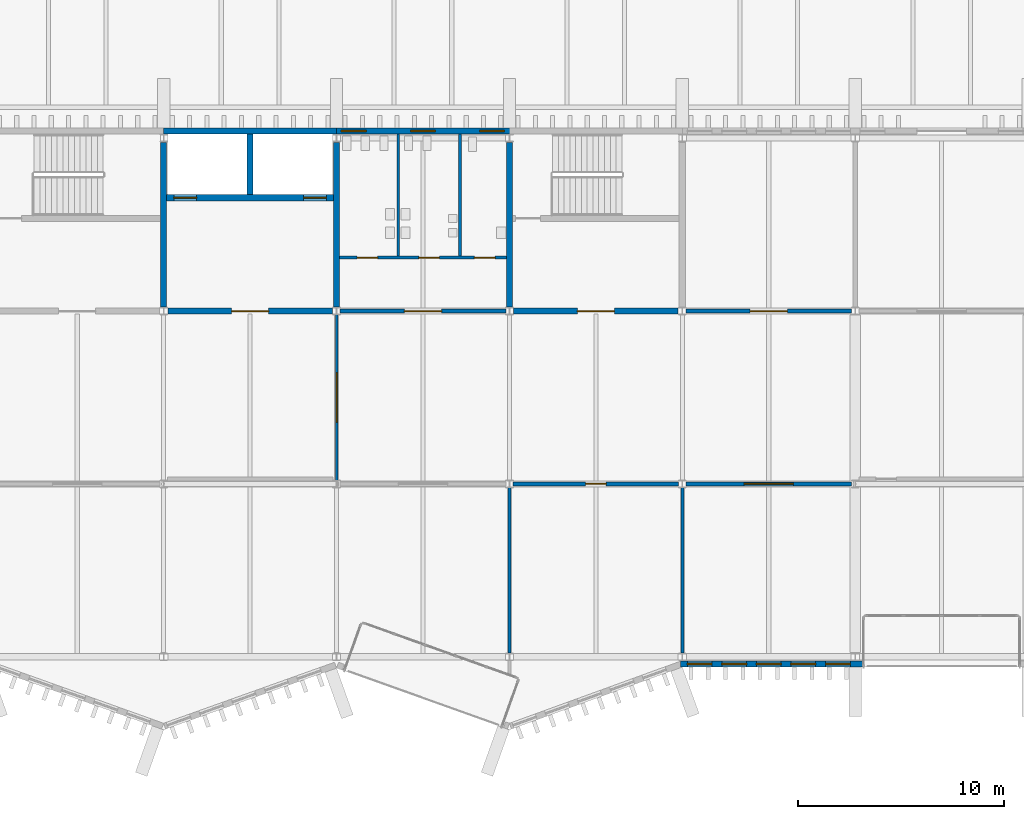
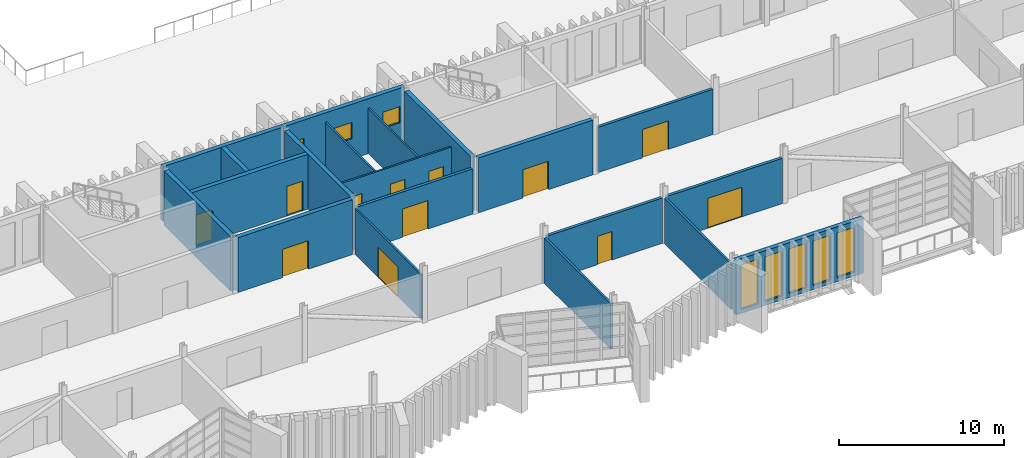
# One storey, part 58 of 96: 20 walls, 12 doors, 8 windows, 20 openings.
"""IFC4 building model written with IfcOpenShell, lengths in metres."""

from ifc_helpers import new_model, si_unit, direction, frame, frame_2d, origin, place, context, subcontext, project, spatial, rectangle, extrude, material, layer, layer_set, type_object, element, fill, save


model = new_model("IFC4")

# Units and contexts
model_context = context("Model", 3, precision=1e-05, world=origin(), true_north=direction((0.0, 1.0)))
body_context = subcontext(model_context, "Body", "Model", "MODEL_VIEW")
ifc_project = project(units=[si_unit("LENGTHUNIT", "METRE"), si_unit("AREAUNIT", "SQUARE_METRE"), si_unit("VOLUMEUNIT", "CUBIC_METRE"), si_unit("PLANEANGLEUNIT", "RADIAN"), si_unit("MASSUNIT", "GRAM", prefix="KILO")], contexts=[model_context])

# Site, building, storey
site_placement = place(None, origin())
site = spatial("IfcSite", under=ifc_project, at=site_placement, CompositionType="ELEMENT")
building_placement = place(site_placement, origin())
building = spatial("IfcBuilding", under=site, at=building_placement, Name="Cresset Court Congress Hotel", CompositionType="ELEMENT")
storey_placement = place(building_placement, frame((0.0, 0.0, 6.0)))
storey = spatial("IfcBuildingStorey", under=building, at=storey_placement, Name="L01", CompositionType="ELEMENT", Elevation=6.0)

# Walls
ifc_material_1 = material(Name="Concrete C50", Category="concrete")
ifc_layer_1 = layer(ifc_material_1, 0.300048828125)
ifc_layer_set_1 = layer_set([ifc_layer_1], Name="Core wall 300 Concrete C50")
wall_type_1 = type_object("IfcWallType", Name="Core wall 300 Concrete C50", PredefinedType="SHEAR", material=ifc_layer_set_1)
for number, where, z_axis, x_axis, name in (
    (1, (42.0, 17.0, 0.0), (0.0, 0.0, 1.0), (0.0, 1.0, 0.0), "Core wall LC-B1"),
    (2, (50.39990234375, 17.0, 0.0), (0.0, 0.0, 1.0), (0.0, 1.0, 0.0), "Core wall LC-B1"),
):
    element("IfcWall", number, at=place(storey_placement, frame(where, z_axis=z_axis, x_axis=x_axis)), inside=storey, type_object=wall_type_1, Name=name, PredefinedType="SHEAR", context=body_context, shape_type="SweptSolid", body=[
        extrude(rectangle(XDim=8.0, YDim=0.300048828125, at=frame_2d((4.0, 0.0))), origin(), (0.0, 0.0, 1.0), 4.050048828125),
    ])

# Wall, opening, door
wall_1_placement = place(storey_placement, frame((42.199951171875, 16.800048828125, 0.0), z_axis=(0.0, 0.0, 1.0), x_axis=(1.0, 0.0, 0.0)))
wall_1 = element("IfcWall", 3, at=wall_1_placement, inside=storey, type_object=wall_type_1, Name="Core wall LC-B1", PredefinedType="SHEAR", context=body_context, shape_type="SweptSolid", body=[
    extrude(rectangle(XDim=8.0, YDim=0.300048828125, at=frame_2d((4.0, 0.0))), origin(), (0.0, 0.0, 1.0), 4.050048828125),
])
opening_1_placement = place(wall_1_placement, frame((3.10009765625, 0.0, 0.0)))
opening_1 = element("IfcOpeningElement", 4, at=opening_1_placement, cuts=wall_1, Name="Opening DB-01-36", PredefinedType="OPENING", context=body_context, shape_type="SweptSolid", body=[
    extrude(rectangle(XDim=1.800048828125, YDim=2.10009765625, at=frame_2d((0.89990234375, 1.050048828125))), frame((0.0, 0.159912109375, 0.0), z_axis=(0.0, -1.0, 0.0), x_axis=(1.0, 0.0, 0.0)), (0.0, 0.0, 1.0), 0.320068359375),
])
ifc_material_2 = material(Name="Timber and steel frame", Category="steel")
door_type_1 = type_object("IfcDoorType", Name="Lobby fire door FD60 double 1800x2100", OperationType="DOUBLE_DOOR_SINGLE_SWING", PredefinedType="DOOR", material=ifc_material_2)
door_1_placement = place(opening_1_placement, origin())
door_1 = element("IfcDoor", 5, at=door_1_placement, inside=storey, type_object=door_type_1, Name="Lift lobby door LC-B1", OperationType="DOUBLE_DOOR_SINGLE_SWING", OverallHeight=2.10009765625, OverallWidth=1.800048828125, PredefinedType="DOOR", context=body_context, shape_type="SweptSolid", body=[
    extrude(rectangle(XDim=1.800048828125, YDim=2.10009765625, at=frame_2d((0.89990234375, 1.050048828125))), frame((0.0, 0.02490234375, 0.0), z_axis=(0.0, -1.0, 0.0), x_axis=(1.0, 0.0, 0.0)), (0.0, 0.0, 1.0), 0.050048828125),
])
fill(opening_1, door_1)

# Wall, openings, doors
wall_2_placement = place(storey_placement, frame((42.14990234375, 22.300048828125, 0.0), z_axis=(0.0, 0.0, 1.0), x_axis=(1.0, 0.0, 0.0)))
wall_2 = element("IfcWall", 6, at=wall_2_placement, inside=storey, type_object=wall_type_1, Name="Core wall LC-B1", PredefinedType="SHEAR", context=body_context, shape_type="SweptSolid", body=[
    extrude(rectangle(XDim=8.10009765625, YDim=0.300048828125, at=frame_2d((4.050048828125, 0.0))), origin(), (0.0, 0.0, 1.0), 4.050048828125),
])
opening_2_placement = place(wall_2_placement, frame((0.35009765625, 0.0, 0.0)))
opening_2 = element("IfcOpeningElement", 7, at=opening_2_placement, cuts=wall_2, Name="Opening LD-B1-05", PredefinedType="OPENING", context=body_context, shape_type="SweptSolid", body=[
    extrude(rectangle(XDim=1.10009765625, YDim=2.199951171875, at=frame_2d((0.550048828125, 1.10009765625))), frame((0.0, 0.159912109375, 0.0), z_axis=(0.0, -1.0, 0.0), x_axis=(1.0, 0.0, 0.0)), (0.0, 0.0, 1.0), 0.320068359375),
])
opening_3_placement = place(wall_2_placement, frame((6.64990234375, 0.0, 0.0)))
opening_3 = element("IfcOpeningElement", 8, at=opening_3_placement, cuts=wall_2, Name="Opening LD-B1-06", PredefinedType="OPENING", context=body_context, shape_type="SweptSolid", body=[
    extrude(rectangle(XDim=1.10009765625, YDim=2.199951171875, at=frame_2d((0.550048828125, 1.10009765625))), frame((0.0, 0.159912109375, 0.0), z_axis=(0.0, -1.0, 0.0), x_axis=(1.0, 0.0, 0.0)), (0.0, 0.0, 1.0), 0.320068359375),
])
ifc_material_3 = material(Name="Stainless steel", Category="steel")
door_type_2 = type_object("IfcDoorType", Name="Lift landing door sliding 1100x2200", OperationType="SLIDING_TO_LEFT", PredefinedType="DOOR", material=ifc_material_3)
door_2_placement = place(opening_2_placement, origin())
door_2 = element("IfcDoor", 9, at=door_2_placement, inside=storey, type_object=door_type_2, Name="Lift landing door LD-B1-05", OperationType="SLIDING_TO_LEFT", OverallHeight=2.199951171875, OverallWidth=1.10009765625, PredefinedType="DOOR", context=body_context, shape_type="SweptSolid", body=[
    extrude(rectangle(XDim=1.10009765625, YDim=2.199951171875, at=frame_2d((0.550048828125, 1.10009765625))), frame((0.0, 0.02490234375, 0.0), z_axis=(0.0, -1.0, 0.0), x_axis=(1.0, 0.0, 0.0)), (0.0, 0.0, 1.0), 0.050048828125),
])
fill(opening_2, door_2)
door_3_placement = place(opening_3_placement, origin())
door_3 = element("IfcDoor", 10, at=door_3_placement, inside=storey, type_object=door_type_2, Name="Lift landing door LD-B1-06", OperationType="SLIDING_TO_LEFT", OverallHeight=2.199951171875, OverallWidth=1.10009765625, PredefinedType="DOOR", context=body_context, shape_type="SweptSolid", body=[
    extrude(rectangle(XDim=1.10009765625, YDim=2.199951171875, at=frame_2d((0.550048828125, 1.10009765625))), frame((0.0, 0.02490234375, 0.0), z_axis=(0.0, -1.0, 0.0), x_axis=(1.0, 0.0, 0.0)), (0.0, 0.0, 1.0), 0.050048828125),
])
fill(opening_3, door_3)

# Walls
wall_3_placement = place(storey_placement, frame((46.199951171875, 22.449951171875, 0.0), z_axis=(0.0, 0.0, 1.0), x_axis=(0.0, 1.0, 0.0)))
element("IfcWall", 11, at=wall_3_placement, inside=storey, type_object=wall_type_1, Name="Core wall LC-B1", PredefinedType="SHEAR", context=body_context, shape_type="SweptSolid", body=[
    extrude(rectangle(XDim=2.949951171875, YDim=0.300048828125, at=frame_2d((1.47509765625, 0.0))), origin(), (0.0, 0.0, 1.0), 4.050048828125),
])
wall_4_placement = place(storey_placement, frame((58.800048828125, 17.0, 0.0), z_axis=(0.0, 0.0, 1.0), x_axis=(0.0, 1.0, 0.0)))
element("IfcWall", 12, at=wall_4_placement, inside=storey, type_object=wall_type_1, Name="Core wall ST-B3", PredefinedType="SHEAR", context=body_context, shape_type="SweptSolid", body=[
    extrude(rectangle(XDim=8.0, YDim=0.300048828125, at=frame_2d((4.0, 0.0))), origin(), (0.0, 0.0, 1.0), 4.050048828125),
])

# Wall, opening, door
wall_5_placement = place(storey_placement, frame((59.0, 16.800048828125, 0.0), z_axis=(0.0, 0.0, 1.0), x_axis=(1.0, 0.0, 0.0)))
wall_5 = element("IfcWall", 13, at=wall_5_placement, inside=storey, type_object=wall_type_1, Name="Core wall ST-B3", PredefinedType="SHEAR", context=body_context, shape_type="SweptSolid", body=[
    extrude(rectangle(XDim=8.0, YDim=0.300048828125, at=frame_2d((4.0, 0.0))), origin(), (0.0, 0.0, 1.0), 4.050048828125),
])
opening_4_placement = place(wall_5_placement, frame((3.10009765625, 0.0, 0.0)))
opening_4 = element("IfcOpeningElement", 14, at=opening_4_placement, cuts=wall_5, Name="Opening DB-01-50", PredefinedType="OPENING", context=body_context, shape_type="SweptSolid", body=[
    extrude(rectangle(XDim=1.800048828125, YDim=2.10009765625, at=frame_2d((0.89990234375, 1.050048828125))), frame((0.0, 0.159912109375, 0.0), z_axis=(0.0, -1.0, 0.0), x_axis=(1.0, 0.0, 0.0)), (0.0, 0.0, 1.0), 0.320068359375),
])
door_4_placement = place(opening_4_placement, origin())
door_4 = element("IfcDoor", 15, at=door_4_placement, inside=storey, type_object=door_type_1, Name="Stair lobby door ST-B3", OperationType="DOUBLE_DOOR_SINGLE_SWING", OverallHeight=2.10009765625, OverallWidth=1.800048828125, PredefinedType="DOOR", context=body_context, shape_type="SweptSolid", body=[
    extrude(rectangle(XDim=1.800048828125, YDim=2.10009765625, at=frame_2d((0.89990234375, 1.050048828125))), frame((0.0, 0.02490234375, 0.0), z_axis=(0.0, -1.0, 0.0), x_axis=(1.0, 0.0, 0.0)), (0.0, 0.0, 1.0), 0.050048828125),
])
fill(opening_4, door_4)

# Wall
ifc_material_4 = material(Name="Concrete C50", Category="concrete")
ifc_layer_2 = layer(ifc_material_4, 0.300048828125)
ifc_layer_set_2 = layer_set([ifc_layer_2], Name="Core wall 300 Concrete C50 external")
wall_type_2 = type_object("IfcWallType", Name="Core wall 300 Concrete C50 external", PredefinedType="SHEAR", material=ifc_layer_set_2)
wall_6_placement = place(storey_placement, frame((42.0, 25.550048828125, 0.0), z_axis=(0.0, 0.0, 1.0), x_axis=(1.0, 0.0, 0.0)))
element("IfcWall", 16, at=wall_6_placement, inside=storey, type_object=wall_type_2, Name="Core wall LC-B1", PredefinedType="SHEAR", context=body_context, shape_type="SweptSolid", body=[
    extrude(rectangle(XDim=8.39990234375, YDim=0.300048828125, at=frame_2d((4.199951171875, 0.0))), origin(), (0.0, 0.0, 1.0), 4.050048828125),
])

# Wall, openings, windows
ifc_material_5 = material(Name="Concrete C40", Category="concrete")
ifc_layer_3 = layer(ifc_material_5, 0.300048828125)
ifc_layer_set_3 = layer_set([ifc_layer_3], Name="External wall 300 Concrete C40")
wall_type_3 = type_object("IfcWallType", Name="External wall 300 Concrete C40", PredefinedType="SOLIDWALL", material=ifc_layer_set_3)
wall_7_placement = place(storey_placement, frame((67.10009765625, -0.35009765625, 0.0), z_axis=(0.0, 0.0, 1.0), x_axis=(1.0, 0.0, 0.0)))
wall_7 = element("IfcWall", 17, at=wall_7_placement, inside=storey, type_object=wall_type_3, Name="External wall", PredefinedType="SOLIDWALL", context=body_context, shape_type="SweptSolid", body=[
    extrude(rectangle(XDim=8.89990234375, YDim=0.300048828125, at=frame_2d((4.449951171875, 0.0))), origin(), (0.0, 0.0, 1.0), 4.050048828125),
])
opening_5_placement = place(wall_7_placement, frame((0.340087890625, 0.0, 0.300048828125)))
opening_5 = element("IfcOpeningElement", 18, at=opening_5_placement, cuts=wall_7, Name="Opening NB-01-01", PredefinedType="OPENING", context=body_context, shape_type="SweptSolid", body=[
    extrude(rectangle(XDim=1.199951171875, YDim=3.300048828125, at=frame_2d((0.60009765625, 1.64990234375))), frame((0.0, 0.159912109375, 0.0), z_axis=(0.0, -1.0, 0.0), x_axis=(1.0, 0.0, 0.0)), (0.0, 0.0, 1.0), 0.320068359375),
])
opening_6_placement = place(wall_7_placement, frame((2.02001953125, 0.0, 0.300048828125)))
opening_6 = element("IfcOpeningElement", 19, at=opening_6_placement, cuts=wall_7, Name="Opening NB-01-02", PredefinedType="OPENING", context=body_context, shape_type="SweptSolid", body=[
    extrude(rectangle(XDim=1.199951171875, YDim=3.300048828125, at=frame_2d((0.60009765625, 1.64990234375))), frame((0.0, 0.159912109375, 0.0), z_axis=(0.0, -1.0, 0.0), x_axis=(1.0, 0.0, 0.0)), (0.0, 0.0, 1.0), 0.320068359375),
])
opening_7_placement = place(wall_7_placement, frame((3.699951171875, 0.0, 0.300048828125)))
opening_7 = element("IfcOpeningElement", 20, at=opening_7_placement, cuts=wall_7, Name="Opening NB-01-03", PredefinedType="OPENING", context=body_context, shape_type="SweptSolid", body=[
    extrude(rectangle(XDim=1.199951171875, YDim=3.300048828125, at=frame_2d((0.60009765625, 1.64990234375))), frame((0.0, 0.159912109375, 0.0), z_axis=(0.0, -1.0, 0.0), x_axis=(1.0, 0.0, 0.0)), (0.0, 0.0, 1.0), 0.320068359375),
])
opening_8_placement = place(wall_7_placement, frame((5.3798828125, 0.0, 0.300048828125)))
opening_8 = element("IfcOpeningElement", 21, at=opening_8_placement, cuts=wall_7, Name="Opening NB-01-04", PredefinedType="OPENING", context=body_context, shape_type="SweptSolid", body=[
    extrude(rectangle(XDim=1.199951171875, YDim=3.300048828125, at=frame_2d((0.60009765625, 1.64990234375))), frame((0.0, 0.159912109375, 0.0), z_axis=(0.0, -1.0, 0.0), x_axis=(1.0, 0.0, 0.0)), (0.0, 0.0, 1.0), 0.320068359375),
])
opening_9_placement = place(wall_7_placement, frame((7.06005859375, 0.0, 0.300048828125)))
opening_9 = element("IfcOpeningElement", 22, at=opening_9_placement, cuts=wall_7, Name="Opening NB-01-05", PredefinedType="OPENING", context=body_context, shape_type="SweptSolid", body=[
    extrude(rectangle(XDim=1.199951171875, YDim=3.300048828125, at=frame_2d((0.60009765625, 1.64990234375))), frame((0.0, 0.159912109375, 0.0), z_axis=(0.0, -1.0, 0.0), x_axis=(1.0, 0.0, 0.0)), (0.0, 0.0, 1.0), 0.320068359375),
])
ifc_material_6 = material(Name="Aluminium frame with double glazing", Category="aluminium")
window_type_1 = type_object("IfcWindowType", Name="Window 1200x3300", PartitioningType="TRIPLE_PANEL_VERTICAL", PredefinedType="WINDOW", material=ifc_material_6)
window_1_placement = place(opening_5_placement, origin())
window_1 = element("IfcWindow", 23, at=window_1_placement, inside=storey, type_object=window_type_1, Name="Window NB-01-01", OverallHeight=3.300048828125, OverallWidth=1.199951171875, PartitioningType="TRIPLE_PANEL_VERTICAL", PredefinedType="WINDOW", context=body_context, shape_type="SweptSolid", body=[
    extrude(rectangle(XDim=1.199951171875, YDim=3.300048828125, at=frame_2d((0.60009765625, 1.64990234375))), frame((0.0, 0.030029296875, 0.0), z_axis=(0.0, -1.0, 0.0), x_axis=(1.0, 0.0, 0.0)), (0.0, 0.0, 1.0), 0.06005859375),
])
fill(opening_5, window_1)
window_2_placement = place(opening_6_placement, origin())
window_2 = element("IfcWindow", 24, at=window_2_placement, inside=storey, type_object=window_type_1, Name="Window NB-01-02", OverallHeight=3.300048828125, OverallWidth=1.199951171875, PartitioningType="TRIPLE_PANEL_VERTICAL", PredefinedType="WINDOW", context=body_context, shape_type="SweptSolid", body=[
    extrude(rectangle(XDim=1.199951171875, YDim=3.300048828125, at=frame_2d((0.60009765625, 1.64990234375))), frame((0.0, 0.030029296875, 0.0), z_axis=(0.0, -1.0, 0.0), x_axis=(1.0, 0.0, 0.0)), (0.0, 0.0, 1.0), 0.06005859375),
])
fill(opening_6, window_2)
window_3_placement = place(opening_7_placement, origin())
window_3 = element("IfcWindow", 25, at=window_3_placement, inside=storey, type_object=window_type_1, Name="Window NB-01-03", OverallHeight=3.300048828125, OverallWidth=1.199951171875, PartitioningType="TRIPLE_PANEL_VERTICAL", PredefinedType="WINDOW", context=body_context, shape_type="SweptSolid", body=[
    extrude(rectangle(XDim=1.199951171875, YDim=3.300048828125, at=frame_2d((0.60009765625, 1.64990234375))), frame((0.0, 0.030029296875, 0.0), z_axis=(0.0, -1.0, 0.0), x_axis=(1.0, 0.0, 0.0)), (0.0, 0.0, 1.0), 0.06005859375),
])
fill(opening_7, window_3)
window_4_placement = place(opening_8_placement, origin())
window_4 = element("IfcWindow", 26, at=window_4_placement, inside=storey, type_object=window_type_1, Name="Window NB-01-04", OverallHeight=3.300048828125, OverallWidth=1.199951171875, PartitioningType="TRIPLE_PANEL_VERTICAL", PredefinedType="WINDOW", context=body_context, shape_type="SweptSolid", body=[
    extrude(rectangle(XDim=1.199951171875, YDim=3.300048828125, at=frame_2d((0.60009765625, 1.64990234375))), frame((0.0, 0.030029296875, 0.0), z_axis=(0.0, -1.0, 0.0), x_axis=(1.0, 0.0, 0.0)), (0.0, 0.0, 1.0), 0.06005859375),
])
fill(opening_8, window_4)
window_5_placement = place(opening_9_placement, origin())
window_5 = element("IfcWindow", 27, at=window_5_placement, inside=storey, type_object=window_type_1, Name="Window NB-01-05", OverallHeight=3.300048828125, OverallWidth=1.199951171875, PartitioningType="TRIPLE_PANEL_VERTICAL", PredefinedType="WINDOW", context=body_context, shape_type="SweptSolid", body=[
    extrude(rectangle(XDim=1.199951171875, YDim=3.300048828125, at=frame_2d((0.60009765625, 1.64990234375))), frame((0.0, 0.030029296875, 0.0), z_axis=(0.0, -1.0, 0.0), x_axis=(1.0, 0.0, 0.0)), (0.0, 0.0, 1.0), 0.06005859375),
])
fill(opening_9, window_5)

wall_8_placement = place(storey_placement, frame((50.300048828125, 25.550048828125, 0.0), z_axis=(0.0, 0.0, 1.0), x_axis=(1.0, 0.0, 0.0)))
wall_8 = element("IfcWall", 28, at=wall_8_placement, inside=storey, type_object=wall_type_3, Name="External wall", PredefinedType="SOLIDWALL", context=body_context, shape_type="SweptSolid", body=[
    extrude(rectangle(XDim=8.599853515625, YDim=0.300048828125, at=frame_2d((4.2998046875, 0.0))), origin(), (0.0, 0.0, 1.0), 4.050048828125),
])
opening_10_placement = place(wall_8_placement, frame((0.340087890625, 0.0, 1.5)))
opening_10 = element("IfcOpeningElement", 29, at=opening_10_placement, cuts=wall_8, Name="Opening NB-01-56", PredefinedType="OPENING", context=body_context, shape_type="SweptSolid", body=[
    extrude(rectangle(XDim=1.199951171875, YDim=1.199951171875, at=frame_2d((0.60009765625, 0.60009765625))), frame((0.0, 0.159912109375, 0.0), z_axis=(0.0, -1.0, 0.0), x_axis=(1.0, 0.0, 0.0)), (0.0, 0.0, 1.0), 0.320068359375),
])
opening_11_placement = place(wall_8_placement, frame((3.699951171875, 0.0, 1.5)))
opening_11 = element("IfcOpeningElement", 30, at=opening_11_placement, cuts=wall_8, Name="Opening NB-01-57", PredefinedType="OPENING", context=body_context, shape_type="SweptSolid", body=[
    extrude(rectangle(XDim=1.199951171875, YDim=1.199951171875, at=frame_2d((0.60009765625, 0.60009765625))), frame((0.0, 0.159912109375, 0.0), z_axis=(0.0, -1.0, 0.0), x_axis=(1.0, 0.0, 0.0)), (0.0, 0.0, 1.0), 0.320068359375),
])
opening_12_placement = place(wall_8_placement, frame((7.06005859375, 0.0, 1.5)))
opening_12 = element("IfcOpeningElement", 31, at=opening_12_placement, cuts=wall_8, Name="Opening NB-01-58", PredefinedType="OPENING", context=body_context, shape_type="SweptSolid", body=[
    extrude(rectangle(XDim=1.199951171875, YDim=1.199951171875, at=frame_2d((0.60009765625, 0.60009765625))), frame((0.0, 0.159912109375, 0.0), z_axis=(0.0, -1.0, 0.0), x_axis=(1.0, 0.0, 0.0)), (0.0, 0.0, 1.0), 0.320068359375),
])
ifc_material_7 = material(Name="Aluminium frame with double glazing", Category="aluminium")
window_type_2 = type_object("IfcWindowType", Name="Window 1200x1200", PartitioningType="SINGLE_PANEL", PredefinedType="WINDOW", material=ifc_material_7)
window_6_placement = place(opening_10_placement, origin())
window_6 = element("IfcWindow", 32, at=window_6_placement, inside=storey, type_object=window_type_2, Name="Window NB-01-56", OverallHeight=1.199951171875, OverallWidth=1.199951171875, PartitioningType="SINGLE_PANEL", PredefinedType="WINDOW", context=body_context, shape_type="SweptSolid", body=[
    extrude(rectangle(XDim=1.199951171875, YDim=1.199951171875, at=frame_2d((0.60009765625, 0.60009765625))), frame((0.0, 0.030029296875, 0.0), z_axis=(0.0, -1.0, 0.0), x_axis=(1.0, 0.0, 0.0)), (0.0, 0.0, 1.0), 0.06005859375),
])
fill(opening_10, window_6)
window_7_placement = place(opening_11_placement, origin())
window_7 = element("IfcWindow", 33, at=window_7_placement, inside=storey, type_object=window_type_2, Name="Window NB-01-57", OverallHeight=1.199951171875, OverallWidth=1.199951171875, PartitioningType="SINGLE_PANEL", PredefinedType="WINDOW", context=body_context, shape_type="SweptSolid", body=[
    extrude(rectangle(XDim=1.199951171875, YDim=1.199951171875, at=frame_2d((0.60009765625, 0.60009765625))), frame((0.0, 0.030029296875, 0.0), z_axis=(0.0, -1.0, 0.0), x_axis=(1.0, 0.0, 0.0)), (0.0, 0.0, 1.0), 0.06005859375),
])
fill(opening_11, window_7)
window_8_placement = place(opening_12_placement, origin())
window_8 = element("IfcWindow", 34, at=window_8_placement, inside=storey, type_object=window_type_2, Name="Window NB-01-58", OverallHeight=1.199951171875, OverallWidth=1.199951171875, PartitioningType="SINGLE_PANEL", PredefinedType="WINDOW", context=body_context, shape_type="SweptSolid", body=[
    extrude(rectangle(XDim=1.199951171875, YDim=1.199951171875, at=frame_2d((0.60009765625, 0.60009765625))), frame((0.0, 0.030029296875, 0.0), z_axis=(0.0, -1.0, 0.0), x_axis=(1.0, 0.0, 0.0)), (0.0, 0.0, 1.0), 0.06005859375),
])
fill(opening_12, window_8)

# Wall, opening, door
ifc_material_8 = material(Name="Gypsum board on steel studs", Category="steel")
ifc_layer_4 = layer(ifc_material_8, 0.199951171875)
ifc_layer_set_4 = layer_set([ifc_layer_4], Name="Foyer wall 200")
wall_type_4 = type_object("IfcWallType", Name="Foyer wall 200", PredefinedType="PARTITIONING", material=ifc_layer_set_4)
wall_9_placement = place(storey_placement, frame((58.97509765625, 8.39990234375, 0.0), z_axis=(0.0, 0.0, 1.0), x_axis=(1.0, 0.0, 0.0)))
wall_9 = element("IfcWall", 35, at=wall_9_placement, inside=storey, type_object=wall_type_4, Name="Foyer wall", PredefinedType="PARTITIONING", context=body_context, shape_type="SweptSolid", body=[
    extrude(rectangle(XDim=8.0498046875, YDim=0.199951171875, at=frame_2d((4.02490234375, 0.0))), origin(), (0.0, 0.0, 1.0), 3.35009765625),
])
opening_13_placement = place(wall_9_placement, frame((3.52490234375, 0.0, 0.0)))
opening_13 = element("IfcOpeningElement", 36, at=opening_13_placement, cuts=wall_9, Name="Opening DB-01-10", PredefinedType="OPENING", context=body_context, shape_type="SweptSolid", body=[
    extrude(rectangle(XDim=1.0, YDim=2.10009765625, at=frame_2d((0.5, 1.050048828125))), frame((0.0, 0.10986328125, 0.0), z_axis=(0.0, -1.0, 0.0), x_axis=(1.0, 0.0, 0.0)), (0.0, 0.0, 1.0), 0.219970703125),
])
ifc_material_9 = material(Name="Timber and steel frame", Category="steel")
door_type_3 = type_object("IfcDoorType", Name="Fire door FD30 single 1000x2100", OperationType="SINGLE_SWING_LEFT", PredefinedType="DOOR", material=ifc_material_9)
door_5_placement = place(opening_13_placement, origin())
door_5 = element("IfcDoor", 37, at=door_5_placement, inside=storey, type_object=door_type_3, Name="Interpreter Room door", OperationType="SINGLE_SWING_LEFT", OverallHeight=2.10009765625, OverallWidth=1.0, PredefinedType="DOOR", context=body_context, shape_type="SweptSolid", body=[
    extrude(rectangle(XDim=1.0, YDim=2.10009765625, at=frame_2d((0.5, 1.050048828125))), frame((0.0, 0.02490234375, 0.0), z_axis=(0.0, -1.0, 0.0), x_axis=(1.0, 0.0, 0.0)), (0.0, 0.0, 1.0), 0.050048828125),
])
fill(opening_13, door_5)

wall_10_placement = place(storey_placement, frame((67.375, 8.39990234375, 0.0), z_axis=(0.0, 0.0, 1.0), x_axis=(1.0, 0.0, 0.0)))
wall_10 = element("IfcWall", 38, at=wall_10_placement, inside=storey, type_object=wall_type_4, Name="Foyer wall", PredefinedType="PARTITIONING", context=body_context, shape_type="SweptSolid", body=[
    extrude(rectangle(XDim=8.050048828125, YDim=0.199951171875, at=frame_2d((4.02490234375, 0.0))), origin(), (0.0, 0.0, 1.0), 3.35009765625),
])
opening_14_placement = place(wall_10_placement, frame((2.824951171875, 0.0, 0.0)))
opening_14 = element("IfcOpeningElement", 39, at=opening_14_placement, cuts=wall_10, Name="Opening DB-01-11", PredefinedType="OPENING", context=body_context, shape_type="SweptSolid", body=[
    extrude(rectangle(XDim=2.39990234375, YDim=2.199951171875, at=frame_2d((1.199951171875, 1.10009765625))), frame((0.0, 0.10986328125, 0.0), z_axis=(0.0, -1.0, 0.0), x_axis=(1.0, 0.0, 0.0)), (0.0, 0.0, 1.0), 0.219970703125),
])
ifc_material_10 = material(Name="Timber and steel frame", Category="steel")
door_type_4 = type_object("IfcDoorType", Name="Fire door FD30 double 2400x2200", OperationType="DOUBLE_DOOR_SINGLE_SWING", PredefinedType="DOOR", material=ifc_material_10)
door_6_placement = place(opening_14_placement, origin())
door_6 = element("IfcDoor", 40, at=door_6_placement, inside=storey, type_object=door_type_4, Name="Meeting Room door", OperationType="DOUBLE_DOOR_SINGLE_SWING", OverallHeight=2.199951171875, OverallWidth=2.39990234375, PredefinedType="DOOR", context=body_context, shape_type="SweptSolid", body=[
    extrude(rectangle(XDim=2.39990234375, YDim=2.199951171875, at=frame_2d((1.199951171875, 1.10009765625))), frame((0.0, 0.02490234375, 0.0), z_axis=(0.0, -1.0, 0.0), x_axis=(1.0, 0.0, 0.0)), (0.0, 0.0, 1.0), 0.050048828125),
])
fill(opening_14, door_6)

wall_11_placement = place(storey_placement, frame((50.574951171875, 16.800048828125, 0.0), z_axis=(0.0, 0.0, 1.0), x_axis=(1.0, 0.0, 0.0)))
wall_11 = element("IfcWall", 41, at=wall_11_placement, inside=storey, type_object=wall_type_4, Name="Foyer wall", PredefinedType="PARTITIONING", context=body_context, shape_type="SweptSolid", body=[
    extrude(rectangle(XDim=8.050048828125, YDim=0.199951171875, at=frame_2d((4.02490234375, 0.0))), origin(), (0.0, 0.0, 1.0), 3.35009765625),
])
opening_15_placement = place(wall_11_placement, frame((3.125, 0.0, 0.0)))
opening_15 = element("IfcOpeningElement", 42, at=opening_15_placement, cuts=wall_11, Name="Opening DB-01-23", PredefinedType="OPENING", context=body_context, shape_type="SweptSolid", body=[
    extrude(rectangle(XDim=1.800048828125, YDim=2.10009765625, at=frame_2d((0.89990234375, 1.050048828125))), frame((0.0, 0.10986328125, 0.0), z_axis=(0.0, -1.0, 0.0), x_axis=(1.0, 0.0, 0.0)), (0.0, 0.0, 1.0), 0.219970703125),
])
ifc_material_11 = material(Name="Timber and steel frame", Category="steel")
door_type_5 = type_object("IfcDoorType", Name="Fire door FD30 double 1800x2100", OperationType="DOUBLE_DOOR_SINGLE_SWING", PredefinedType="DOOR", material=ifc_material_11)
door_7_placement = place(opening_15_placement, origin())
door_7 = element("IfcDoor", 43, at=door_7_placement, inside=storey, type_object=door_type_5, Name="Toilet lobby door", OperationType="DOUBLE_DOOR_SINGLE_SWING", OverallHeight=2.10009765625, OverallWidth=1.800048828125, PredefinedType="DOOR", context=body_context, shape_type="SweptSolid", body=[
    extrude(rectangle(XDim=1.800048828125, YDim=2.10009765625, at=frame_2d((0.89990234375, 1.050048828125))), frame((0.0, 0.02490234375, 0.0), z_axis=(0.0, -1.0, 0.0), x_axis=(1.0, 0.0, 0.0)), (0.0, 0.0, 1.0), 0.050048828125),
])
fill(opening_15, door_7)

wall_12_placement = place(storey_placement, frame((67.375, 16.800048828125, 0.0), z_axis=(0.0, 0.0, 1.0), x_axis=(1.0, 0.0, 0.0)))
wall_12 = element("IfcWall", 44, at=wall_12_placement, inside=storey, type_object=wall_type_4, Name="Foyer wall", PredefinedType="PARTITIONING", context=body_context, shape_type="SweptSolid", body=[
    extrude(rectangle(XDim=8.050048828125, YDim=0.199951171875, at=frame_2d((4.02490234375, 0.0))), origin(), (0.0, 0.0, 1.0), 3.35009765625),
])
opening_16_placement = place(wall_12_placement, frame((3.125, 0.0, 0.0)))
opening_16 = element("IfcOpeningElement", 45, at=opening_16_placement, cuts=wall_12, Name="Opening DB-01-24", PredefinedType="OPENING", context=body_context, shape_type="SweptSolid", body=[
    extrude(rectangle(XDim=1.800048828125, YDim=2.10009765625, at=frame_2d((0.89990234375, 1.050048828125))), frame((0.0, 0.10986328125, 0.0), z_axis=(0.0, -1.0, 0.0), x_axis=(1.0, 0.0, 0.0)), (0.0, 0.0, 1.0), 0.219970703125),
])
door_8_placement = place(opening_16_placement, origin())
door_8 = element("IfcDoor", 46, at=door_8_placement, inside=storey, type_object=door_type_5, Name="Meeting Room door", OperationType="DOUBLE_DOOR_SINGLE_SWING", OverallHeight=2.10009765625, OverallWidth=1.800048828125, PredefinedType="DOOR", context=body_context, shape_type="SweptSolid", body=[
    extrude(rectangle(XDim=1.800048828125, YDim=2.10009765625, at=frame_2d((0.89990234375, 1.050048828125))), frame((0.0, 0.02490234375, 0.0), z_axis=(0.0, -1.0, 0.0), x_axis=(1.0, 0.0, 0.0)), (0.0, 0.0, 1.0), 0.050048828125),
])
fill(opening_16, door_8)

ifc_material_12 = material(Name="Fire-resisting glazed screen")
ifc_layer_5 = layer(ifc_material_12, 0.125)
ifc_layer_set_5 = layer_set([ifc_layer_5], Name="Glazed fire screen 125")
wall_type_5 = type_object("IfcWallType", Name="Glazed fire screen 125", PredefinedType="PARTITIONING", material=ifc_layer_set_5)
wall_13_placement = place(storey_placement, frame((50.39990234375, 8.574951171875, 0.0), z_axis=(0.0, 0.0, 1.0), x_axis=(0.0, 1.0, 0.0)))
wall_13 = element("IfcWall", 47, at=wall_13_placement, inside=storey, type_object=wall_type_5, Name="Glazed fire screen", PredefinedType="PARTITIONING", context=body_context, shape_type="SweptSolid", body=[
    extrude(rectangle(XDim=8.050048828125, YDim=0.125, at=frame_2d((4.02490234375, 0.0))), origin(), (0.0, 0.0, 1.0), 3.35009765625),
])
opening_17_placement = place(wall_13_placement, frame((2.824951171875, 0.0, 0.0)))
opening_17 = element("IfcOpeningElement", 48, at=opening_17_placement, cuts=wall_13, Name="Opening DB-01-34", PredefinedType="OPENING", context=body_context, shape_type="SweptSolid", body=[
    extrude(rectangle(XDim=2.39990234375, YDim=2.199951171875, at=frame_2d((1.199951171875, 1.10009765625))), frame((0.0, 0.072509765625, 0.0), z_axis=(0.0, -1.0, 0.0), x_axis=(1.0, 0.0, 0.0)), (0.0, 0.0, 1.0), 0.14501953125),
])
ifc_material_13 = material(Name="Fire-resisting glazing in steel frame", Category="steel")
door_type_6 = type_object("IfcDoorType", Name="Smoke door glazed double 2400x2200", OperationType="DOUBLE_DOOR_SINGLE_SWING", PredefinedType="DOOR", material=ifc_material_13)
door_9_placement = place(opening_17_placement, origin())
door_9 = element("IfcDoor", 49, at=door_9_placement, inside=storey, type_object=door_type_6, Name="Foyer screen door", OperationType="DOUBLE_DOOR_SINGLE_SWING", OverallHeight=2.199951171875, OverallWidth=2.39990234375, PredefinedType="DOOR", context=body_context, shape_type="SweptSolid", body=[
    extrude(rectangle(XDim=2.39990234375, YDim=2.199951171875, at=frame_2d((1.199951171875, 1.10009765625))), frame((0.0, 0.02490234375, 0.0), z_axis=(0.0, -1.0, 0.0), x_axis=(1.0, 0.0, 0.0)), (0.0, 0.0, 1.0), 0.050048828125),
])
fill(opening_17, door_9)

# Walls
ifc_material_14 = material(Name="Gypsum board on steel studs", Category="steel")
ifc_layer_6 = layer(ifc_material_14, 0.14990234375)
ifc_layer_set_6 = layer_set([ifc_layer_6], Name="Partition 150")
wall_type_6 = type_object("IfcWallType", Name="Partition 150", PredefinedType="PARTITIONING", material=ifc_layer_set_6)
for number, where, z_axis, x_axis, name in (
    (50, (58.800048828125, 0.175048828125, 0.0), (0.0, 0.0, 1.0), (0.0, 1.0, 0.0), "Partition"),
    (51, (67.199951171875, 0.175048828125, 0.0), (0.0, 0.0, 1.0), (0.0, 1.0, 0.0), "Partition"),
):
    element("IfcWall", number, at=place(storey_placement, frame(where, z_axis=z_axis, x_axis=x_axis)), inside=storey, type_object=wall_type_6, Name=name, PredefinedType="PARTITIONING", context=body_context, shape_type="SweptSolid", body=[
        extrude(rectangle(XDim=8.050048828125, YDim=0.14990234375, at=frame_2d((4.02490234375, 0.0))), origin(), (0.0, 0.0, 1.0), 3.35009765625),
    ])

# Wall, openings, doors
ifc_material_15 = material(Name="Moisture-resistant board on steel studs", Category="steel")
ifc_layer_7 = layer(ifc_material_15, 0.125)
ifc_layer_set_7 = layer_set([ifc_layer_7], Name="Wet area partition 125")
wall_type_7 = type_object("IfcWallType", Name="Wet area partition 125", PredefinedType="PARTITIONING", material=ifc_layer_set_7)
wall_14_placement = place(storey_placement, frame((50.550048828125, 19.39990234375, 0.0), z_axis=(0.0, 0.0, 1.0), x_axis=(1.0, 0.0, 0.0)))
wall_14 = element("IfcWall", 52, at=wall_14_placement, inside=storey, type_object=wall_type_7, Name="Wet area partition", PredefinedType="PARTITIONING", context=body_context, shape_type="SweptSolid", body=[
    extrude(rectangle(XDim=8.099853515625, YDim=0.125, at=frame_2d((4.0498046875, 0.0))), origin(), (0.0, 0.0, 1.0), 3.35009765625),
])
opening_18_placement = place(wall_14_placement, frame((0.85009765625, 0.0, 0.0)))
opening_18 = element("IfcOpeningElement", 53, at=opening_18_placement, cuts=wall_14, Name="Opening DB-01-31", PredefinedType="OPENING", context=body_context, shape_type="SweptSolid", body=[
    extrude(rectangle(XDim=1.0, YDim=2.10009765625, at=frame_2d((0.5, 1.050048828125))), frame((0.0, 0.072509765625, 0.0), z_axis=(0.0, -1.0, 0.0), x_axis=(1.0, 0.0, 0.0)), (0.0, 0.0, 1.0), 0.14501953125),
])
opening_19_placement = place(wall_14_placement, frame((3.85009765625, 0.0, 0.0)))
opening_19 = element("IfcOpeningElement", 54, at=opening_19_placement, cuts=wall_14, Name="Opening DB-01-32", PredefinedType="OPENING", context=body_context, shape_type="SweptSolid", body=[
    extrude(rectangle(XDim=1.0, YDim=2.10009765625, at=frame_2d((0.5, 1.050048828125))), frame((0.0, 0.072509765625, 0.0), z_axis=(0.0, -1.0, 0.0), x_axis=(1.0, 0.0, 0.0)), (0.0, 0.0, 1.0), 0.14501953125),
])
opening_20_placement = place(wall_14_placement, frame((6.550048828125, 0.0, 0.0)))
opening_20 = element("IfcOpeningElement", 55, at=opening_20_placement, cuts=wall_14, Name="Opening DB-01-33", PredefinedType="OPENING", context=body_context, shape_type="SweptSolid", body=[
    extrude(rectangle(XDim=1.0, YDim=2.10009765625, at=frame_2d((0.5, 1.050048828125))), frame((0.0, 0.072509765625, 0.0), z_axis=(0.0, -1.0, 0.0), x_axis=(1.0, 0.0, 0.0)), (0.0, 0.0, 1.0), 0.14501953125),
])
ifc_material_16 = material(Name="Timber and steel frame", Category="steel")
door_type_7 = type_object("IfcDoorType", Name="Single door 1000x2100", OperationType="SINGLE_SWING_LEFT", PredefinedType="DOOR", material=ifc_material_16)
door_10_placement = place(opening_20_placement, origin())
door_10 = element("IfcDoor", 56, at=door_10_placement, inside=storey, type_object=door_type_7, Name="Accessible WC door", OperationType="SINGLE_SWING_LEFT", OverallHeight=2.10009765625, OverallWidth=1.0, PredefinedType="DOOR", context=body_context, shape_type="SweptSolid", body=[
    extrude(rectangle(XDim=1.0, YDim=2.10009765625, at=frame_2d((0.5, 1.050048828125))), frame((0.0, 0.02490234375, 0.0), z_axis=(0.0, -1.0, 0.0), x_axis=(1.0, 0.0, 0.0)), (0.0, 0.0, 1.0), 0.050048828125),
])
fill(opening_20, door_10)
ifc_material_17 = material(Name="Timber and steel frame", Category="steel")
door_type_8 = type_object("IfcDoorType", Name="Toilet door 1000x2100", OperationType="SINGLE_SWING_LEFT", PredefinedType="DOOR", material=ifc_material_17)
door_11_placement = place(opening_18_placement, origin())
door_11 = element("IfcDoor", 57, at=door_11_placement, inside=storey, type_object=door_type_8, Name="Women's WC door", OperationType="SINGLE_SWING_LEFT", OverallHeight=2.10009765625, OverallWidth=1.0, PredefinedType="DOOR", context=body_context, shape_type="SweptSolid", body=[
    extrude(rectangle(XDim=1.0, YDim=2.10009765625, at=frame_2d((0.5, 1.050048828125))), frame((0.0, 0.02490234375, 0.0), z_axis=(0.0, -1.0, 0.0), x_axis=(1.0, 0.0, 0.0)), (0.0, 0.0, 1.0), 0.050048828125),
])
fill(opening_18, door_11)
door_12_placement = place(opening_19_placement, origin())
door_12 = element("IfcDoor", 58, at=door_12_placement, inside=storey, type_object=door_type_8, Name="Men's WC door", OperationType="SINGLE_SWING_LEFT", OverallHeight=2.10009765625, OverallWidth=1.0, PredefinedType="DOOR", context=body_context, shape_type="SweptSolid", body=[
    extrude(rectangle(XDim=1.0, YDim=2.10009765625, at=frame_2d((0.5, 1.050048828125))), frame((0.0, 0.02490234375, 0.0), z_axis=(0.0, -1.0, 0.0), x_axis=(1.0, 0.0, 0.0)), (0.0, 0.0, 1.0), 0.050048828125),
])
fill(opening_19, door_12)

# Walls
for number, where, z_axis, x_axis, name in (
    (59, (53.39990234375, 19.46240234375, 0.0), (0.0, 0.0, 1.0), (0.0, 1.0, 0.0), "Wet area partition"),
    (60, (56.39990234375, 19.46240234375, 0.0), (0.0, 0.0, 1.0), (0.0, 1.0, 0.0), "Wet area partition"),
):
    element("IfcWall", number, at=place(storey_placement, frame(where, z_axis=z_axis, x_axis=x_axis)), inside=storey, type_object=wall_type_7, Name=name, PredefinedType="PARTITIONING", context=body_context, shape_type="SweptSolid", body=[
        extrude(rectangle(XDim=5.9375, YDim=0.125, at=frame_2d((2.96875, 0.0))), origin(), (0.0, 0.0, 1.0), 3.35009765625),
    ])

save(model, "model.ifc")
